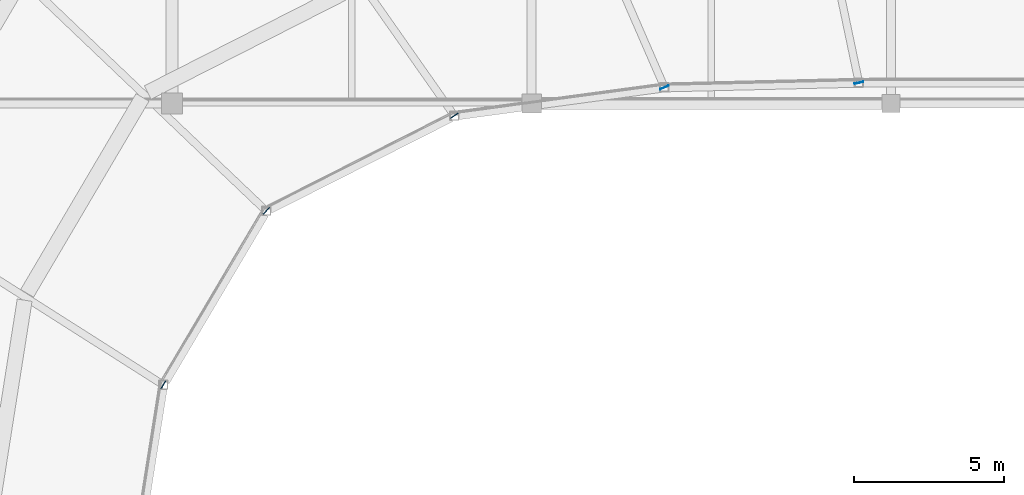
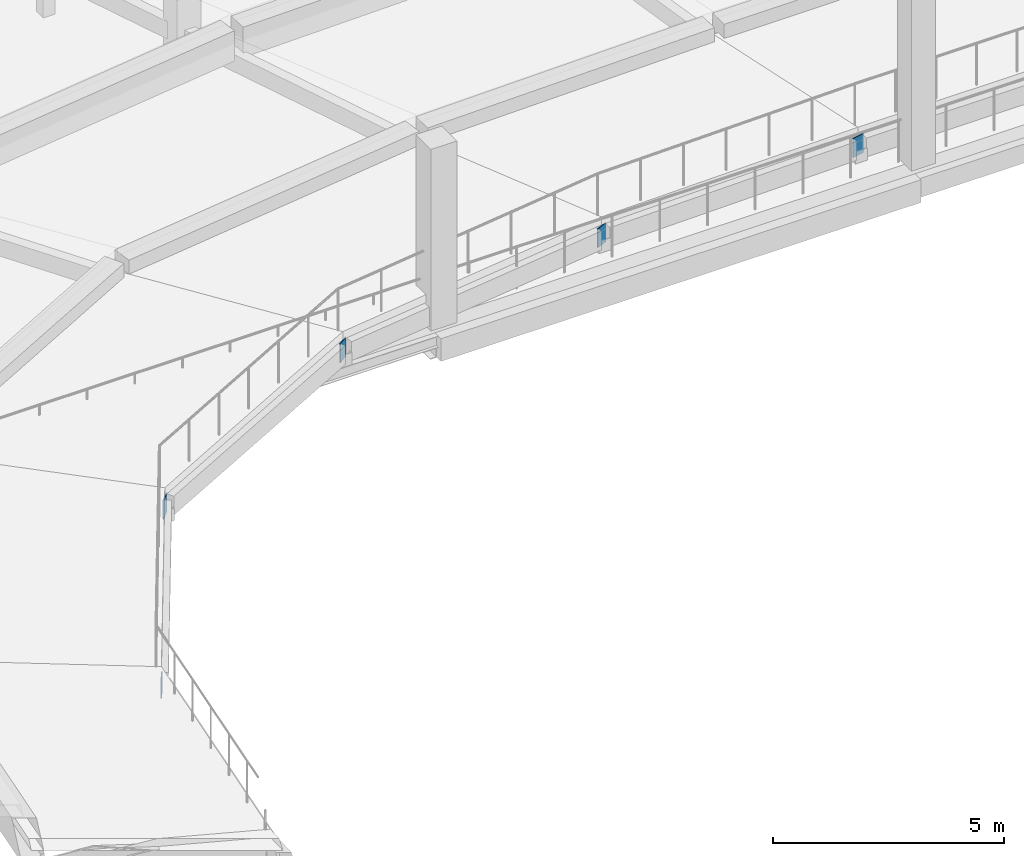
# One storey, part 44 of 77: 5 plates.
"""IFC4 building model written with IfcOpenShell, lengths in metres."""

from ifc_helpers import new_model, si_unit, direction, frame, origin, origin_2d, place, context, subcontext, project, spatial, rectangle, extrude, material, layer, layer_set, type_object, element, save


model = new_model("IFC4")

# Units and contexts
model_context = context("Model", 3, precision=1e-05, world=origin(), true_north=direction((0.0, 1.0)))
body_context = subcontext(model_context, "Body", "Model", "MODEL_VIEW")
ifc_project = project(units=[si_unit("LENGTHUNIT", "METRE"), si_unit("AREAUNIT", "SQUARE_METRE"), si_unit("VOLUMEUNIT", "CUBIC_METRE"), si_unit("PLANEANGLEUNIT", "RADIAN"), si_unit("MASSUNIT", "GRAM", prefix="KILO")], contexts=[model_context])

# Site, building, storey
site_placement = place(None, origin())
site = spatial("IfcSite", under=ifc_project, at=site_placement, CompositionType="ELEMENT")
building_placement = place(site_placement, origin())
building = spatial("IfcBuilding", under=site, at=building_placement, Name="Luwafu Chhajja Arena", CompositionType="ELEMENT")
storey_placement = place(building_placement, frame((0.0, 0.0, 14.699951171875)))
storey = spatial("IfcBuildingStorey", under=building, at=storey_placement, Name="L03", CompositionType="ELEMENT", Elevation=14.699951171875)

# Plates
ifc_material = material(Name="Steel S355", Category="steel")
ifc_layer = layer(ifc_material, 0.02392578125, Name="Steel S355")
ifc_layer_set = layer_set([ifc_layer], Name="Steel S355")
plate_type = type_object("IfcPlateType", Name="Raker Hollow End Closure Plate FN-2", PredefinedType="USERDEFINED", material=ifc_layer_set)
for number, where, z_axis, x_axis, name in (
    (1, (92.934814453125, 77.6923828125, 0.10009765625), (0.0, 0.0, 1.0), (-0.204577818989, 0.978850303151, 0.0), "Upper Raker End Cap Plate FN-2 10"),
    (2, (86.439697265625, 77.536865234375, 0.10009765625), (0.0, 0.0, 1.0), (-0.399065517637, 0.916922413639, 0.0), "Upper Raker End Cap Plate FN-2 11"),
    (3, (79.42333984375, 76.589111328125, 0.10009765625), (0.0, 0.0, 1.0), (-0.574600858154, 0.818433780955, 0.0), "Upper Raker End Cap Plate FN-2 12"),
    (4, (73.14013671875, 73.409912109375, 0.10009765625), (0.0, 0.0, 1.0), (-0.724375393874, 0.689405750448, 0.0), "Upper Raker End Cap Plate FN-2 13"),
    (5, (69.701416015625, 67.600341796875, 0.10009765625), (0.0, 0.0, 1.0), (-0.843828331333, 0.536613219405, 0.0), "Upper Raker End Cap Plate FN-2 14"),
):
    element("IfcPlate", number, at=place(storey_placement, frame(where, z_axis=z_axis, x_axis=x_axis)), inside=storey, type_object=plate_type, Name=name, ObjectType="GUSSET PLATE", PredefinedType="USERDEFINED", context=body_context, shape_type="SweptSolid", body=[
        extrude(rectangle(XDim=0.02392578125, YDim=0.300048828125, at=origin_2d()), origin(), (0.0, 0.0, 1.0), 0.5),
    ])

save(model, "model.ifc")
